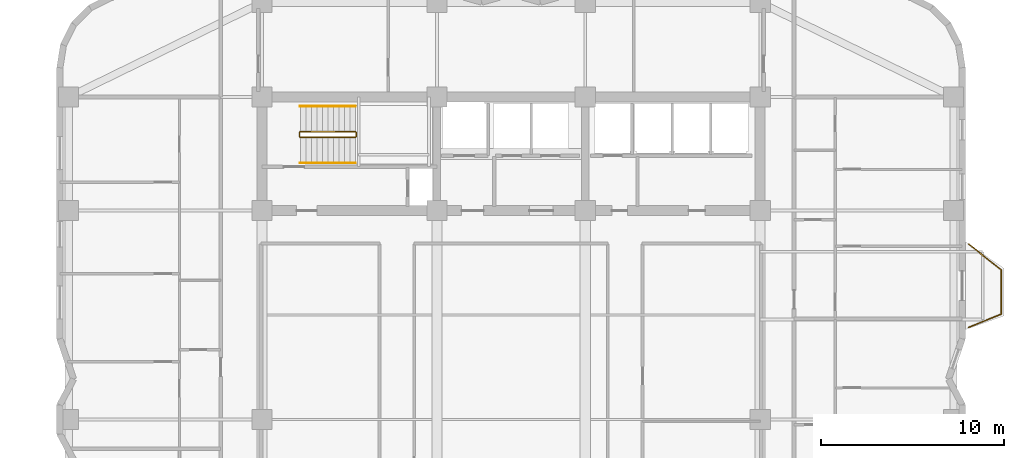
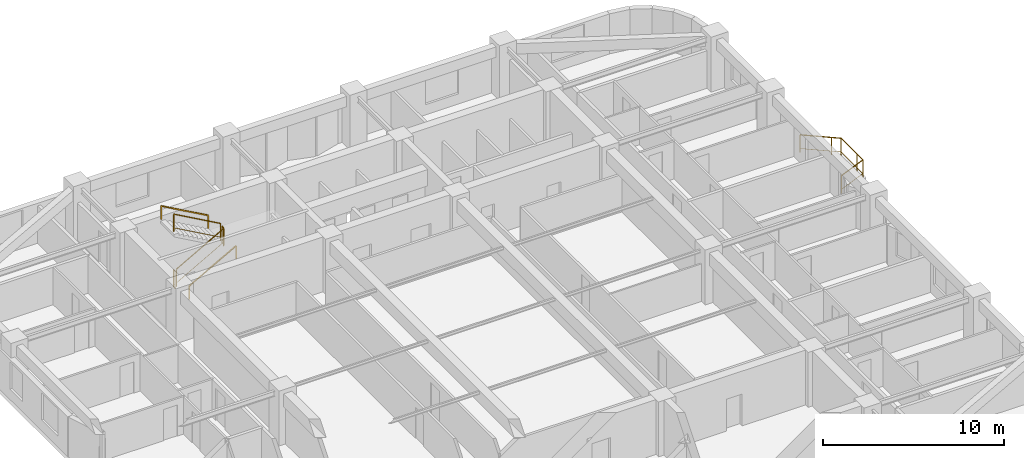
# One storey, part 9 of 9: 7 railings.
"""IFC4 building model written with IfcOpenShell, lengths in metres."""

from ifc_helpers import new_model, si_unit, direction, frame, origin, origin_2d, place, context, subcontext, project, spatial, rectangle, extrude, material, type_object, element, save


model = new_model("IFC4")

# Units and contexts
model_context = context("Model", 3, precision=1e-05, world=origin(), true_north=direction((0.0, 1.0)))
body_context = subcontext(model_context, "Body", "Model", "MODEL_VIEW")
ifc_project = project(units=[si_unit("LENGTHUNIT", "METRE"), si_unit("AREAUNIT", "SQUARE_METRE"), si_unit("VOLUMEUNIT", "CUBIC_METRE"), si_unit("PLANEANGLEUNIT", "RADIAN"), si_unit("MASSUNIT", "GRAM", prefix="KILO")], contexts=[model_context])

# Site, building, storey
site_placement = place(None, origin())
site = spatial("IfcSite", under=ifc_project, at=site_placement, CompositionType="ELEMENT")
building_placement = place(site_placement, origin())
building = spatial("IfcBuilding", under=site, at=building_placement, Name="Svetorya Sky Lyceum", CompositionType="ELEMENT")
storey_placement = place(building_placement, frame((0.0, 0.0, 125.300048828125)))
storey = spatial("IfcBuildingStorey", under=building, at=storey_placement, Name="L31", CompositionType="ELEMENT", Elevation=125.300048828125)

# Railings
ifc_material_1 = material(Name="Laminated safety glass and stainless AISI 316", Category="glass")
railing_type_1 = type_object("IfcRailingType", Name="RL-BAL-1200", PredefinedType="BALUSTRADE", material=ifc_material_1)
railing_1_placement = place(storey_placement, frame((64.169921875, 37.780029296875, 0.0)))
element("IfcRailing", 1, at=railing_1_placement, inside=storey, type_object=railing_type_1, Name="L31 Balcony Balustrade BAL-E1", PredefinedType="BALUSTRADE", context=body_context, shape_type="SweptSolid", body=[
    extrude(rectangle(XDim=0.048095703125, YDim=0.048095703125, at=origin_2d()), frame((0.0, 0.0, 1.17578125), z_axis=(0.783008919264, -0.622010476079, 0.0), x_axis=(0.622010476079, 0.783008919264, 0.0)), (0.0, 0.0, 1.0), 2.298828125),
    extrude(rectangle(XDim=0.02392578125, YDim=0.02392578125, at=origin_2d()), frame((0.0, 0.0, 0.25), z_axis=(0.783008919264, -0.622010476079, 0.0), x_axis=(0.622010476079, 0.783008919264, 0.0)), (0.0, 0.0, 1.0), 2.298828125),
    extrude(rectangle(XDim=0.048095703125, YDim=0.048095703125, at=origin_2d()), frame((1.800048828125, -1.429931640625, 1.17578125), z_axis=(0.0, -1.0, 0.0), x_axis=(1.0, 0.0, 0.0)), (0.0, 0.0, 1.0), 2.400146484375),
    extrude(rectangle(XDim=0.02392578125, YDim=0.02392578125, at=origin_2d()), frame((1.800048828125, -1.429931640625, 0.25), z_axis=(0.0, -1.0, 0.0), x_axis=(1.0, 0.0, 0.0)), (0.0, 0.0, 1.0), 2.400146484375),
    extrude(rectangle(XDim=0.048095703125, YDim=0.048095703125, at=origin_2d()), frame((1.800048828125, -3.830078125, 1.17578125), z_axis=(-0.926697865975, -0.375807218129, 0.0), x_axis=(0.375807218129, -0.926697865975, 0.0)), (0.0, 0.0, 1.0), 1.9423828125),
    extrude(rectangle(XDim=0.02392578125, YDim=0.02392578125, at=origin_2d()), frame((1.800048828125, -3.830078125, 0.25), z_axis=(-0.926697865975, -0.375807218129, 0.0), x_axis=(0.375807218129, -0.926697865975, 0.0)), (0.0, 0.0, 1.0), 1.9423828125),
    extrude(rectangle(XDim=0.0419921875, YDim=0.0419921875, at=origin_2d()), origin(), (0.0, 0.0, 1.0), 1.15185546875),
    extrude(rectangle(XDim=0.0419921875, YDim=0.0419921875, at=origin_2d()), frame((1.370361328125, -1.088623046875, 0.0)), (0.0, 0.0, 1.0), 1.15185546875),
    extrude(rectangle(XDim=0.0419921875, YDim=0.0419921875, at=origin_2d()), frame((1.800048828125, -1.429931640625, 0.0)), (0.0, 0.0, 1.0), 1.15185546875),
    extrude(rectangle(XDim=0.0419921875, YDim=0.0419921875, at=origin_2d()), frame((1.800048828125, -3.179931640625, 0.0)), (0.0, 0.0, 1.0), 1.15185546875),
    extrude(rectangle(XDim=0.0419921875, YDim=0.0419921875, at=origin_2d()), frame((1.800048828125, -3.830078125, 0.0)), (0.0, 0.0, 1.0), 1.15185546875),
    extrude(rectangle(XDim=0.0419921875, YDim=0.0419921875, at=origin_2d()), frame((0.0, -4.56005859375, 0.0)), (0.0, 0.0, 1.0), 1.15185546875),
])
ifc_material_2 = material(Name="Painted galvanized stair well guard")
railing_type_2 = type_object("IfcRailingType", Name="RL-STR-GUARD-1200", PredefinedType="GUARDRAIL", material=ifc_material_2)
railing_2_placement = place(storey_placement, frame((27.699951171875, 43.60009765625, 0.168212890625)))
element("IfcRailing", 2, at=railing_2_placement, inside=storey, type_object=railing_type_2, Name="L31 ST-N stair guard 1", PredefinedType="GUARDRAIL", context=body_context, shape_type="SweptSolid", body=[
    extrude(rectangle(XDim=0.048095703125, YDim=0.048095703125, at=origin_2d()), frame((0.0, 0.0, 1.17578125), z_axis=(0.872302573547, 0.0, 0.488966481656), x_axis=(0.0, 1.0, 0.0)), (0.0, 0.0, 1.0), 3.439208984375),
    extrude(rectangle(XDim=0.02392578125, YDim=0.02392578125, at=origin_2d()), frame((0.0, 0.0, 0.25), z_axis=(0.872302573547, 0.0, 0.488966481656), x_axis=(0.0, 1.0, 0.0)), (0.0, 0.0, 1.0), 3.439208984375),
    extrude(rectangle(XDim=0.0419921875, YDim=0.0419921875, at=origin_2d()), origin(), (0.0, 0.0, 1.0), 1.15185546875),
    extrude(rectangle(XDim=0.0419921875, YDim=0.0419921875, at=origin_2d()), frame((3.0, 0.0, 1.681640625)), (0.0, 0.0, 1.0), 1.15185546875),
])
railing_3_placement = place(storey_placement, frame((30.75, 43.64990234375, 1.849853515625)))
element("IfcRailing", 3, at=railing_3_placement, inside=storey, type_object=railing_type_2, Name="L31 ST-N stair guard 2", PredefinedType="GUARDRAIL", context=body_context, shape_type="SweptSolid", body=[
    extrude(rectangle(XDim=0.048095703125, YDim=0.048095703125, at=origin_2d()), frame((0.0, 0.0, 1.17578125), z_axis=(0.0, 1.0, 0.0), x_axis=(-1.0, 0.0, 0.0)), (0.0, 0.0, 1.0), 0.2001953125),
    extrude(rectangle(XDim=0.02392578125, YDim=0.02392578125, at=origin_2d()), frame((0.0, 0.0, 0.25), z_axis=(0.0, 1.0, 0.0), x_axis=(-1.0, 0.0, 0.0)), (0.0, 0.0, 1.0), 0.2001953125),
    extrude(rectangle(XDim=0.0419921875, YDim=0.0419921875, at=origin_2d()), origin(), (0.0, 0.0, 1.0), 1.15185546875),
    extrude(rectangle(XDim=0.0419921875, YDim=0.0419921875, at=origin_2d()), frame((0.0, 0.2001953125, 0.0)), (0.0, 0.0, 1.0), 1.15185546875),
])
railing_4_placement = place(storey_placement, frame((30.699951171875, 43.89990234375, 2.01806640625)))
element("IfcRailing", 4, at=railing_4_placement, inside=storey, type_object=railing_type_2, Name="L31 ST-N stair guard 3", PredefinedType="GUARDRAIL", context=body_context, shape_type="SweptSolid", body=[
    extrude(rectangle(XDim=0.048095703125, YDim=0.048095703125, at=origin_2d()), frame((0.0, 0.0, 1.17578125), z_axis=(-0.872272294576, 0.0, 0.489020494575), x_axis=(0.0, -1.0, 0.0)), (0.0, 0.0, 1.0), 3.439208984375),
    extrude(rectangle(XDim=0.02392578125, YDim=0.02392578125, at=origin_2d()), frame((0.0, 0.0, 0.25), z_axis=(-0.872272294576, 0.0, 0.489020494575), x_axis=(0.0, -1.0, 0.0)), (0.0, 0.0, 1.0), 3.439208984375),
    extrude(rectangle(XDim=0.0419921875, YDim=0.0419921875, at=origin_2d()), origin(), (0.0, 0.0, 1.0), 1.15185546875),
    extrude(rectangle(XDim=0.0419921875, YDim=0.0419921875, at=origin_2d()), frame((-3.0, 0.0, 1.681884765625)), (0.0, 0.0, 1.0), 1.15185546875),
])
railing_5_placement = place(storey_placement, frame((27.64990234375, 43.64990234375, 0.0)))
element("IfcRailing", 5, at=railing_5_placement, inside=storey, type_object=railing_type_2, Name="L31 ST-N stair guard 4", PredefinedType="GUARDRAIL", context=body_context, shape_type="SweptSolid", body=[
    extrude(rectangle(XDim=0.048095703125, YDim=0.048095703125, at=origin_2d()), frame((0.0, 0.0, 1.17578125), z_axis=(0.0, 1.0, 0.0), x_axis=(-1.0, 0.0, 0.0)), (0.0, 0.0, 1.0), 0.2001953125),
    extrude(rectangle(XDim=0.02392578125, YDim=0.02392578125, at=origin_2d()), frame((0.0, 0.0, 0.25), z_axis=(0.0, 1.0, 0.0), x_axis=(-1.0, 0.0, 0.0)), (0.0, 0.0, 1.0), 0.2001953125),
    extrude(rectangle(XDim=0.0419921875, YDim=0.0419921875, at=origin_2d()), origin(), (0.0, 0.0, 1.0), 1.15185546875),
    extrude(rectangle(XDim=0.0419921875, YDim=0.0419921875, at=origin_2d()), frame((0.0, 0.2001953125, 0.0)), (0.0, 0.0, 1.0), 1.15185546875),
])
ifc_material_3 = material(Name="Brushed stainless AISI 304 stair handrail")
railing_type_3 = type_object("IfcRailingType", Name="RL-STR-HAND-920", PredefinedType="HANDRAIL", material=ifc_material_3)
railing_6_placement = place(storey_placement, frame((27.699951171875, 42.199951171875, 0.168212890625)))
element("IfcRailing", 6, at=railing_6_placement, inside=storey, type_object=railing_type_3, Name="L31 ST-N stair handrail 1", PredefinedType="HANDRAIL", context=body_context, shape_type="SweptSolid", body=[
    extrude(rectangle(XDim=0.048095703125, YDim=0.048095703125, at=origin_2d()), frame((0.0, 0.0, 0.8759765625), z_axis=(0.872302573547, 0.0, 0.488966481656), x_axis=(0.0, 1.0, 0.0)), (0.0, 0.0, 1.0), 3.439208984375),
    extrude(rectangle(XDim=0.0419921875, YDim=0.0419921875, at=origin_2d()), origin(), (0.0, 0.0, 1.0), 0.851806640625),
    extrude(rectangle(XDim=0.0419921875, YDim=0.0419921875, at=origin_2d()), frame((3.0, 0.0, 1.681640625)), (0.0, 0.0, 1.0), 0.851806640625),
])
railing_7_placement = place(storey_placement, frame((30.699951171875, 45.300048828125, 2.01806640625)))
element("IfcRailing", 7, at=railing_7_placement, inside=storey, type_object=railing_type_3, Name="L31 ST-N stair handrail 2", PredefinedType="HANDRAIL", context=body_context, shape_type="SweptSolid", body=[
    extrude(rectangle(XDim=0.048095703125, YDim=0.048095703125, at=origin_2d()), frame((0.0, 0.0, 0.8759765625), z_axis=(-0.872272294576, 0.0, 0.489020494575), x_axis=(0.0, -1.0, 0.0)), (0.0, 0.0, 1.0), 3.439208984375),
    extrude(rectangle(XDim=0.0419921875, YDim=0.0419921875, at=origin_2d()), origin(), (0.0, 0.0, 1.0), 0.851806640625),
    extrude(rectangle(XDim=0.0419921875, YDim=0.0419921875, at=origin_2d()), frame((-3.0, 0.0, 1.681884765625)), (0.0, 0.0, 1.0), 0.851806640625),
])

save(model, "model.ifc")
